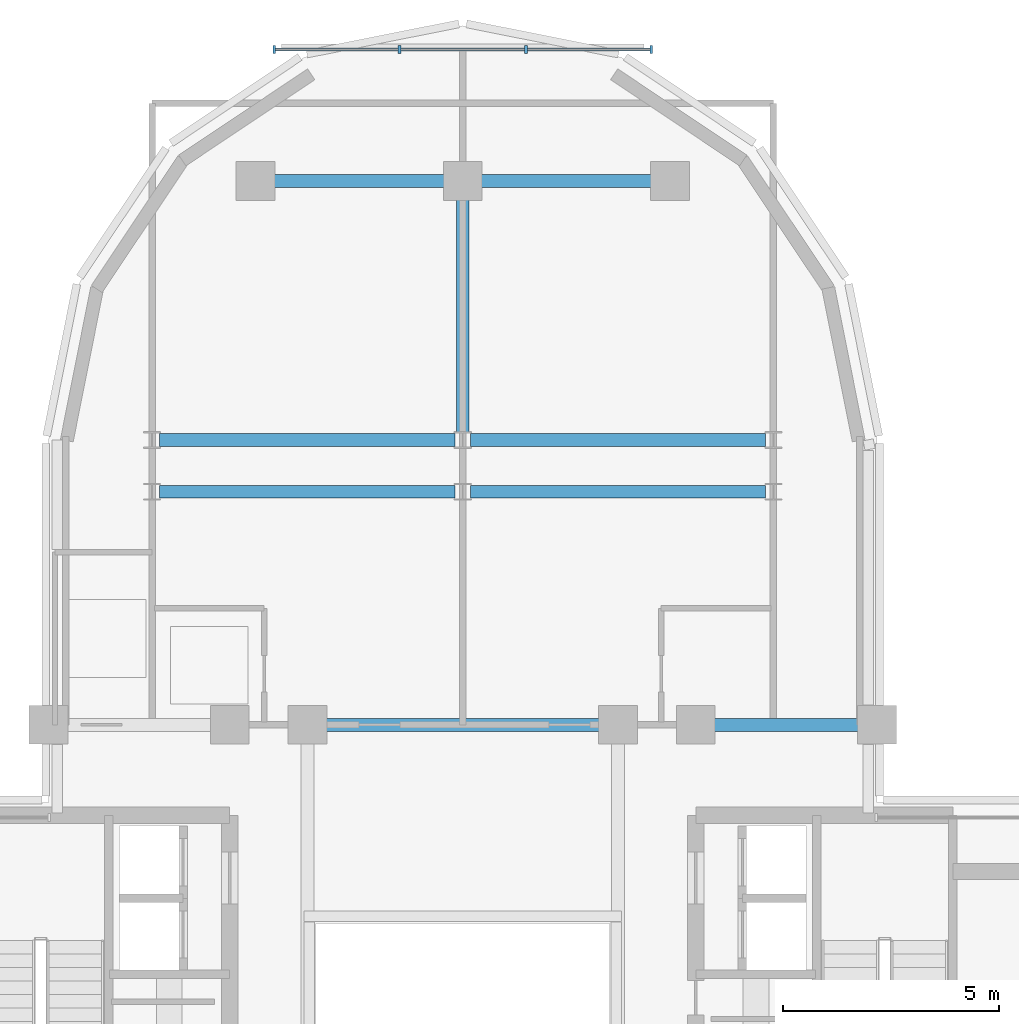
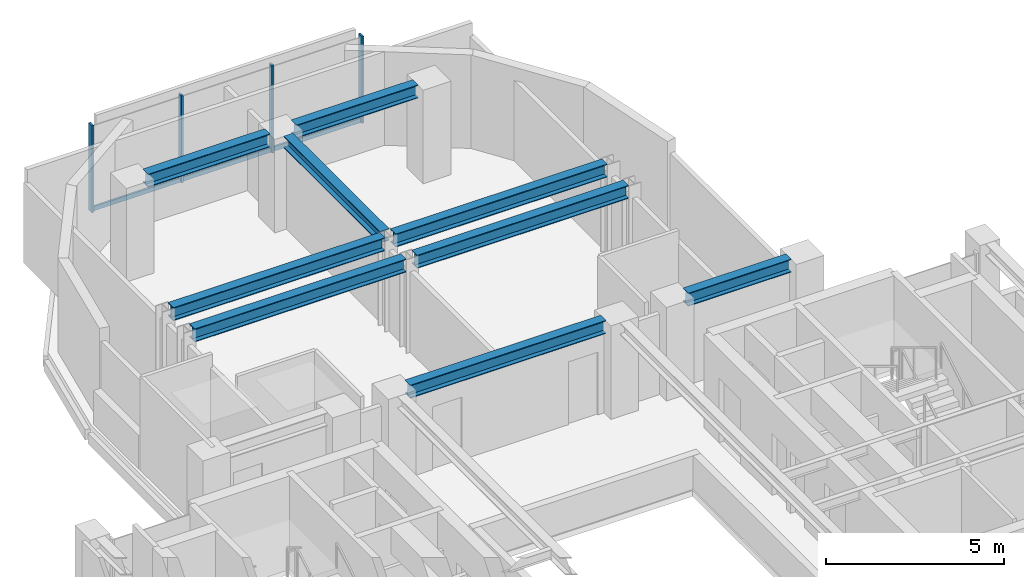
# One storey, part 4 of 12: 9 beams, 7 members, 1 element without a shape of its own.
"""IFC4 building model written with IfcOpenShell, lengths in metres."""

from ifc_helpers import new_model, si_unit, direction, frame, origin, origin_2d, place, context, subcontext, project, spatial, rectangle, i_section, extrude, source, transform, mapped, material, material_profile, profile_set, type_object, element, aggregate, save


model = new_model("IFC4")

# Units and contexts
model_context = context("Model", 3, precision=1e-05, world=origin(), true_north=direction((0.0, 1.0)))
body_context = subcontext(model_context, "Body", "Model", "MODEL_VIEW")
ifc_project = project(units=[si_unit("LENGTHUNIT", "METRE"), si_unit("AREAUNIT", "SQUARE_METRE"), si_unit("VOLUMEUNIT", "CUBIC_METRE"), si_unit("PLANEANGLEUNIT", "RADIAN"), si_unit("MASSUNIT", "GRAM", prefix="KILO")], contexts=[model_context])

# Site, building, storey
site_placement = place(None, origin())
site = spatial("IfcSite", under=ifc_project, at=site_placement, CompositionType="ELEMENT")
building_placement = place(site_placement, origin())
building = spatial("IfcBuilding", under=site, at=building_placement, Name="Keilestroom Media Tower", CompositionType="ELEMENT")
storey_placement = place(building_placement, frame((0.0, 0.0, 184.199951171875)))
storey = spatial("IfcBuildingStorey", under=building, at=storey_placement, Name="L50", CompositionType="ELEMENT", Elevation=184.199951171875)

# Beams
ifc_material_1 = material(Name="Steel S355", Category="steel")
ifc_material_profile_1 = material_profile(ifc_material_1, i_section(OverallWidth=0.300048828125, OverallDepth=0.449951171875, WebThickness=0.011962890625, FlangeThickness=0.02587890625, at=origin_2d()), Name="HEB 450")
ifc_profile_set_1 = profile_set([ifc_material_profile_1], Name="Steel S355")
beam_type_1 = type_object("IfcBeamType", Name="Primary-Structural-Girder-HEB-450", PredefinedType="BEAM", material=ifc_profile_set_1)
shared_shape_1 = source(origin(), body_context, "Body", "SweptSolid", [
    extrude(i_section(OverallWidth=0.300048828125, OverallDepth=0.449951171875, WebThickness=0.011962890625, FlangeThickness=0.02587890625, at=origin_2d()), origin(), (0.0, 0.0, 1.0), 3.940185546875),
])
for number, where, z_axis, x_axis, name in (
    (1, (-4.3701171875, 21.60009765625, 2.97509765625), (1.0, 0.0, 0.0), (0.0, 1.0, 0.0), "L50 Beam BG-7 BM-L50-EW-029"),
    (2, (0.429931640625, 21.60009765625, 2.97509765625), (1.0, 0.0, 0.0), (0.0, 1.0, 0.0), "L50 Beam BG-7 BM-L50-EW-030"),
):
    element("IfcBeam", number, at=place(storey_placement, frame(where, z_axis=z_axis, x_axis=x_axis)), inside=storey, type_object=beam_type_1, Name=name, PredefinedType="BEAM", context=body_context, shape_type="MappedRepresentation", body=[
        mapped(shared_shape_1, transform((0.0, 0.0, 0.0), x_axis=(1.0, 0.0, 0.0), y_axis=(0.0, 1.0, 0.0), z_axis=(0.0, 0.0, 1.0), scale=1.0)),
    ])
shared_shape_2 = source(origin(), body_context, "Body", "SweptSolid", [
    extrude(i_section(OverallWidth=0.300048828125, OverallDepth=0.449951171875, WebThickness=0.011962890625, FlangeThickness=0.02587890625, at=origin_2d()), origin(), (0.0, 0.0, 1.0), 6.842041015625),
])
for number, where, z_axis, x_axis, name in (
    (3, (-7.02099609375, 14.39990234375, 2.97509765625), (1.0, 0.0, 0.0), (0.0, 1.0, 0.0), "L50 Beam BG-7 BM-L50-EW-025"),
    (4, (0.178955078125, 14.39990234375, 2.97509765625), (1.0, 0.0, 0.0), (0.0, 1.0, 0.0), "L50 Beam BG-7 BM-L50-EW-026"),
    (5, (-7.02099609375, 15.60009765625, 2.97509765625), (1.0, 0.0, 0.0), (0.0, 1.0, 0.0), "L50 Beam BG-7 BM-L50-EW-027"),
    (6, (0.178955078125, 15.60009765625, 2.97509765625), (1.0, 0.0, 0.0), (0.0, 1.0, 0.0), "L50 Beam BG-7 BM-L50-EW-028"),
):
    element("IfcBeam", number, at=place(storey_placement, frame(where, z_axis=z_axis, x_axis=x_axis)), inside=storey, type_object=beam_type_1, Name=name, PredefinedType="BEAM", context=body_context, shape_type="MappedRepresentation", body=[
        mapped(shared_shape_2, transform((0.0, 0.0, 0.0), x_axis=(1.0, 0.0, 0.0), y_axis=(0.0, 1.0, 0.0), z_axis=(0.0, 0.0, 1.0), scale=1.0)),
    ])
shared_shape_3 = source(origin(), body_context, "Body", "SweptSolid", [
    extrude(i_section(OverallWidth=0.300048828125, OverallDepth=0.449951171875, WebThickness=0.011962890625, FlangeThickness=0.02587890625, at=origin_2d()), origin(), (0.0, 0.0, 1.0), 3.33984375),
])
beam_1_placement = place(storey_placement, frame((5.830078125, 9.0, 2.97509765625), z_axis=(1.0, 0.0, 0.0), x_axis=(0.0, 1.0, 0.0)))
element("IfcBeam", 7, at=beam_1_placement, inside=storey, type_object=beam_type_1, Name="L50 Beam BG-7 BM-L50-EW-024", PredefinedType="BEAM", context=body_context, shape_type="MappedRepresentation", body=[
    mapped(shared_shape_3, transform((0.0, 0.0, 0.0), x_axis=(1.0, 0.0, 0.0), y_axis=(0.0, 1.0, 0.0), z_axis=(0.0, 0.0, 1.0), scale=1.0)),
])
shared_shape_4 = source(origin(), body_context, "Body", "SweptSolid", [
    extrude(i_section(OverallWidth=0.300048828125, OverallDepth=0.449951171875, WebThickness=0.011962890625, FlangeThickness=0.02587890625, at=origin_2d()), origin(), (0.0, 0.0, 1.0), 6.33984375),
])
beam_2_placement = place(storey_placement, frame((-3.169921875, 9.0, 2.97509765625), z_axis=(1.0, 0.0, 0.0), x_axis=(0.0, 1.0, 0.0)))
element("IfcBeam", 8, at=beam_2_placement, inside=storey, type_object=beam_type_1, Name="L50 Beam BG-7 BM-L50-EW-022", PredefinedType="BEAM", context=body_context, shape_type="MappedRepresentation", body=[
    mapped(shared_shape_4, transform((0.0, 0.0, 0.0), x_axis=(1.0, 0.0, 0.0), y_axis=(0.0, 1.0, 0.0), z_axis=(0.0, 0.0, 1.0), scale=1.0)),
])
ifc_material_profile_2 = material_profile(ifc_material_1, i_section(OverallWidth=0.300048828125, OverallDepth=0.39990234375, WebThickness=0.011474609375, FlangeThickness=0.02392578125, at=origin_2d()), Name="HEB 400")
ifc_profile_set_2 = profile_set([ifc_material_profile_2], Name="Steel S355")
beam_type_2 = type_object("IfcBeamType", Name="Primary-Structural-Girder-HEB-400", PredefinedType="BEAM", material=ifc_profile_set_2)
shared_shape_5 = source(origin(), body_context, "Body", "SweptSolid", [
    extrude(i_section(OverallWidth=0.300048828125, OverallDepth=0.39990234375, WebThickness=0.011474609375, FlangeThickness=0.02392578125, at=origin_2d()), origin(), (0.0, 0.0, 1.0), 5.396484375),
])
beam_3_placement = place(storey_placement, frame((0.0, 15.7734375, 3.0), z_axis=(0.0, 1.0, 0.0), x_axis=(-1.0, 0.0, 0.0)))
element("IfcBeam", 9, at=beam_3_placement, inside=storey, type_object=beam_type_2, Name="L50 Beam BG-8 BM-L50-NS-044", PredefinedType="BEAM", context=body_context, shape_type="MappedRepresentation", body=[
    mapped(shared_shape_5, transform((0.0, 0.0, 0.0), x_axis=(1.0, 0.0, 0.0), y_axis=(0.0, 1.0, 0.0), z_axis=(0.0, 0.0, 1.0), scale=1.0)),
])

# Curtain wall, members
ifc_material_2 = material(Name="Anodised Aluminium Alloy", Category="aluminium")
curtain_wall_type = type_object("IfcCurtainWallType", Name="Unitised-Curtain-Wall-CW-6", PredefinedType="NOTDEFINED", material=ifc_material_2)
curtain_wall_placement = place(storey_placement, origin())
curtain_wall = element("IfcCurtainWall", 10, at=curtain_wall_placement, inside=storey, type_object=curtain_wall_type, Name="L50 Curtain Wall CW-6 CW-L50-LN-1", PredefinedType="NOTDEFINED")
ifc_material_profile_3 = material_profile(ifc_material_2, rectangle(XDim=0.06494140625, YDim=0.179931640625, at=origin_2d()), Name="ALU MULLION 65x180")
ifc_profile_set_3 = profile_set([ifc_material_profile_3], Name="Anodised Aluminium Alloy")
member_type_1 = type_object("IfcMemberType", Name="Curtain-Wall-Mullion-CW-6", PredefinedType="MULLION", material=ifc_profile_set_3)
shared_shape_6 = source(origin(), body_context, "Body", "SweptSolid", [
    extrude(rectangle(XDim=0.06494140625, YDim=0.179931640625, at=origin_2d()), origin(), (0.0, 0.0, 1.0), 2.97998046875),
])
member_1_placement = place(storey_placement, frame((-4.367431640625, 24.64990234375, 0.0), z_axis=(0.0, 0.0, 1.0), x_axis=(1.0, 0.0, 0.0)))
member_1 = element("IfcMember", 11, at=member_1_placement, type_object=member_type_1, Name="CW-6 Mullion 00", PredefinedType="MULLION", context=body_context, shape_type="MappedRepresentation", body=[
    mapped(shared_shape_6, transform((0.0, 0.0, 0.0), x_axis=(1.0, 0.0, 0.0), y_axis=(0.0, 1.0, 0.0), z_axis=(0.0, 0.0, 1.0), scale=1.0)),
])
member_2_placement = place(storey_placement, frame((-1.466796875, 24.64990234375, 0.0), z_axis=(0.0, 0.0, 1.0), x_axis=(1.0, 0.0, 0.0)))
member_2 = element("IfcMember", 12, at=member_2_placement, type_object=member_type_1, Name="CW-6 Mullion 01", PredefinedType="MULLION", context=body_context, shape_type="MappedRepresentation", body=[
    mapped(shared_shape_6, transform((0.0, 0.0, 0.0), x_axis=(1.0, 0.0, 0.0), y_axis=(0.0, 1.0, 0.0), z_axis=(0.0, 0.0, 1.0), scale=1.0)),
])
member_3_placement = place(storey_placement, frame((1.466796875, 24.64990234375, 0.0), z_axis=(0.0, 0.0, 1.0), x_axis=(1.0, 0.0, 0.0)))
member_3 = element("IfcMember", 13, at=member_3_placement, type_object=member_type_1, Name="CW-6 Mullion 02", PredefinedType="MULLION", context=body_context, shape_type="MappedRepresentation", body=[
    mapped(shared_shape_6, transform((0.0, 0.0, 0.0), x_axis=(1.0, 0.0, 0.0), y_axis=(0.0, 1.0, 0.0), z_axis=(0.0, 0.0, 1.0), scale=1.0)),
])
member_4_placement = place(storey_placement, frame((4.367431640625, 24.64990234375, 0.0), z_axis=(0.0, 0.0, 1.0), x_axis=(1.0, 0.0, 0.0)))
member_4 = element("IfcMember", 14, at=member_4_placement, type_object=member_type_1, Name="CW-6 Mullion 03", PredefinedType="MULLION", context=body_context, shape_type="MappedRepresentation", body=[
    mapped(shared_shape_6, transform((0.0, 0.0, 0.0), x_axis=(1.0, 0.0, 0.0), y_axis=(0.0, 1.0, 0.0), z_axis=(0.0, 0.0, 1.0), scale=1.0)),
])
ifc_material_profile_4 = material_profile(ifc_material_2, rectangle(XDim=0.06494140625, YDim=0.14990234375, at=origin_2d()), Name="ALU TRANSOM 65x150")
ifc_profile_set_4 = profile_set([ifc_material_profile_4], Name="Anodised Aluminium Alloy")
member_type_2 = type_object("IfcMemberType", Name="Curtain-Wall-Transom-CW-6", PredefinedType="USERDEFINED", material=ifc_profile_set_4)
shared_shape_7 = source(origin(), body_context, "Body", "SweptSolid", [
    extrude(rectangle(XDim=0.06494140625, YDim=0.14990234375, at=origin_2d()), origin(), (0.0, 0.0, 1.0), 2.839599609375),
])
member_5_placement = place(storey_placement, frame((-4.3369140625, 24.64990234375, 0.074951171875), z_axis=(1.0, 0.0, 0.0), x_axis=(0.0, 1.0, 0.0)))
member_5 = element("IfcMember", 15, at=member_5_placement, type_object=member_type_2, Name="CW-6 Transom 00.1", ObjectType="TRANSOM", PredefinedType="USERDEFINED", context=body_context, shape_type="MappedRepresentation", body=[
    mapped(shared_shape_7, transform((0.0, 0.0, 0.0), x_axis=(1.0, 0.0, 0.0), y_axis=(0.0, 1.0, 0.0), z_axis=(0.0, 0.0, 1.0), scale=1.0)),
])
member_6_placement = place(storey_placement, frame((1.497314453125, 24.64990234375, 0.074951171875), z_axis=(1.0, 0.0, 0.0), x_axis=(0.0, 1.0, 0.0)))
member_6 = element("IfcMember", 16, at=member_6_placement, type_object=member_type_2, Name="CW-6 Transom 02.1", ObjectType="TRANSOM", PredefinedType="USERDEFINED", context=body_context, shape_type="MappedRepresentation", body=[
    mapped(shared_shape_7, transform((0.0, 0.0, 0.0), x_axis=(1.0, 0.0, 0.0), y_axis=(0.0, 1.0, 0.0), z_axis=(0.0, 0.0, 1.0), scale=1.0)),
])
shared_shape_8 = source(origin(), body_context, "Body", "SweptSolid", [
    extrude(rectangle(XDim=0.06494140625, YDim=0.14990234375, at=origin_2d()), origin(), (0.0, 0.0, 1.0), 2.87255859375),
])
member_7_placement = place(storey_placement, frame((-1.436279296875, 24.64990234375, 0.074951171875), z_axis=(1.0, 0.0, 0.0), x_axis=(0.0, 1.0, 0.0)))
member_7 = element("IfcMember", 17, at=member_7_placement, type_object=member_type_2, Name="CW-6 Transom 01.1", ObjectType="TRANSOM", PredefinedType="USERDEFINED", context=body_context, shape_type="MappedRepresentation", body=[
    mapped(shared_shape_8, transform((0.0, 0.0, 0.0), x_axis=(1.0, 0.0, 0.0), y_axis=(0.0, 1.0, 0.0), z_axis=(0.0, 0.0, 1.0), scale=1.0)),
])
aggregate(curtain_wall, [member_1, member_2, member_3, member_4, member_5, member_7, member_6])

save(model, "model.ifc")
